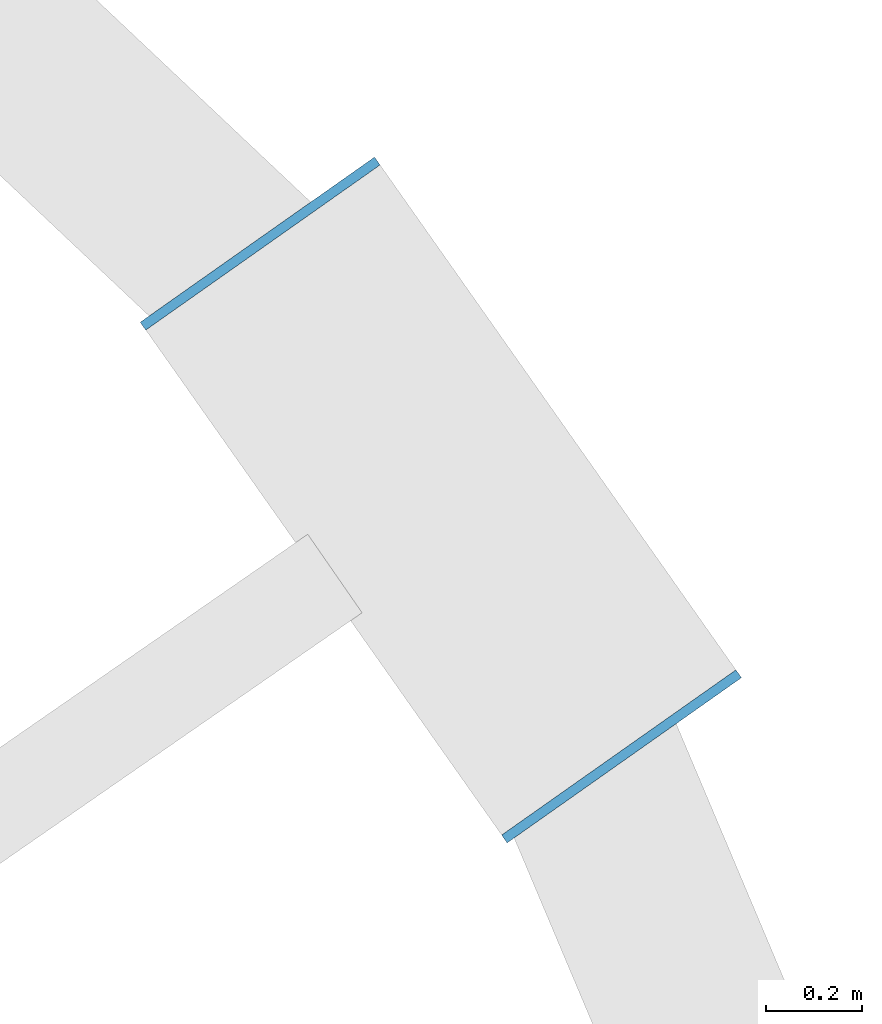
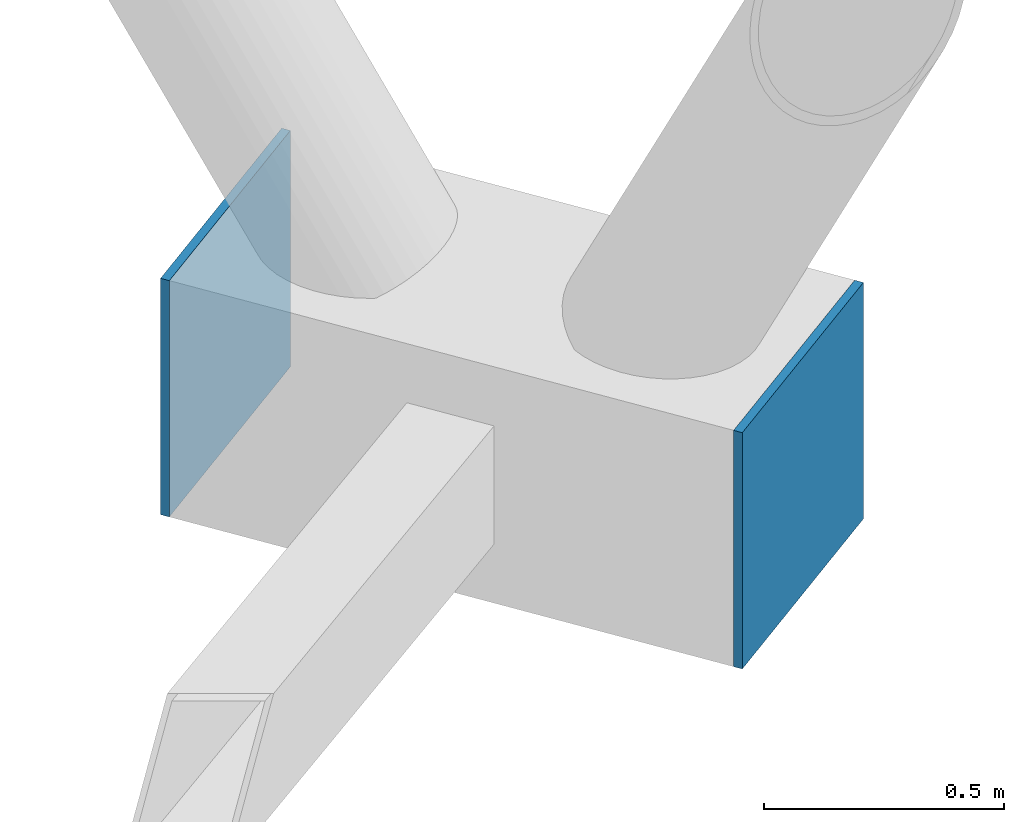
# One storey, part 15 of 19: 2 discrete accessories.
"""IFC4 building model written with IfcOpenShell, lengths in metres."""

from ifc_helpers import new_model, si_unit, direction, frame, origin, origin_2d, place, context, subcontext, project, spatial, rectangle, extrude, material, layer, layer_set, type_object, element, save


model = new_model("IFC4")

# Units and contexts
model_context = context("Model", 3, precision=1e-05, world=origin(), true_north=direction((0.0, 1.0)))
body_context = subcontext(model_context, "Body", "Model", "MODEL_VIEW")
ifc_project = project(units=[si_unit("LENGTHUNIT", "METRE"), si_unit("AREAUNIT", "SQUARE_METRE"), si_unit("VOLUMEUNIT", "CUBIC_METRE"), si_unit("PLANEANGLEUNIT", "RADIAN"), si_unit("MASSUNIT", "GRAM", prefix="KILO")], contexts=[model_context])

# Site, building, storey
site_placement = place(None, origin())
site = spatial("IfcSite", under=ifc_project, at=site_placement, CompositionType="ELEMENT")
building_placement = place(site_placement, origin())
building = spatial("IfcBuilding", under=site, at=building_placement, Name="Siaravel Broadcast Tower", CompositionType="ELEMENT")
storey_placement = place(building_placement, frame((0.0, 0.0, 168.199951171875)))
storey = spatial("IfcBuildingStorey", under=building, at=storey_placement, Name="L40", CompositionType="ELEMENT", Elevation=168.199951171875)

# Discrete accessories
ifc_material = material(Name="Steel S355", Category="steel")
ifc_layer = layer(ifc_material, 0.02001953125)
ifc_layer_set = layer_set([ifc_layer], Name="Steel S355")
discrete_accessory_type = type_object("IfcDiscreteAccessoryType", Name="Steel end plate 20 mm", PredefinedType="USERDEFINED", material=ifc_layer_set)
for number, where, z_axis, x_axis, name in (
    (1, (22.455810546875, 11.828369140625, -0.5), (0.0, 0.0, 1.0), (-0.576118513, 0.817366172, 0.0), "End plate R17 station 06A"),
    (2, (23.21240234375, 10.7548828125, -0.5), (0.0, 0.0, 1.0), (-0.576118513, 0.817366172, 0.0), "End plate R17 station 06B"),
):
    element("IfcDiscreteAccessory", number, at=place(storey_placement, frame(where, z_axis=z_axis, x_axis=x_axis)), inside=storey, type_object=discrete_accessory_type, Name=name, ObjectType="END PLATE", PredefinedType="USERDEFINED", context=body_context, shape_type="SweptSolid", body=[
        extrude(rectangle(XDim=0.02001953125, YDim=0.60009765625, at=origin_2d()), origin(), (0.0, 0.0, 1.0), 0.60009765625),
    ])

save(model, "model.ifc")
